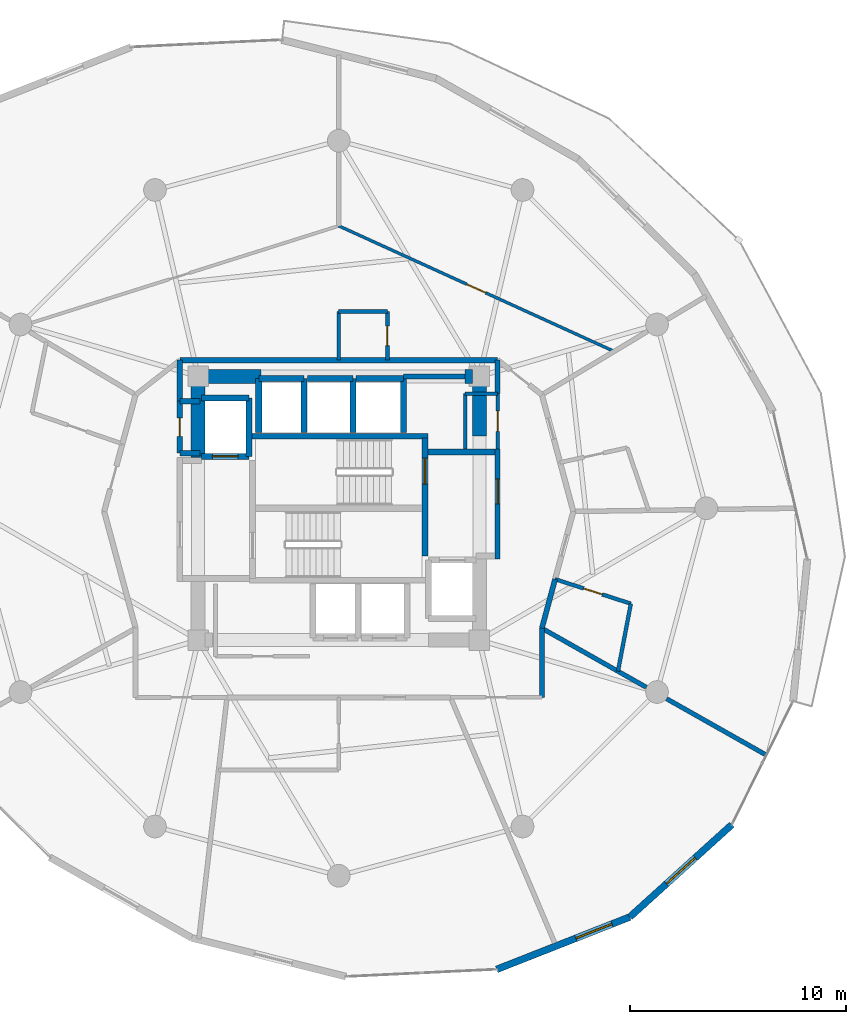
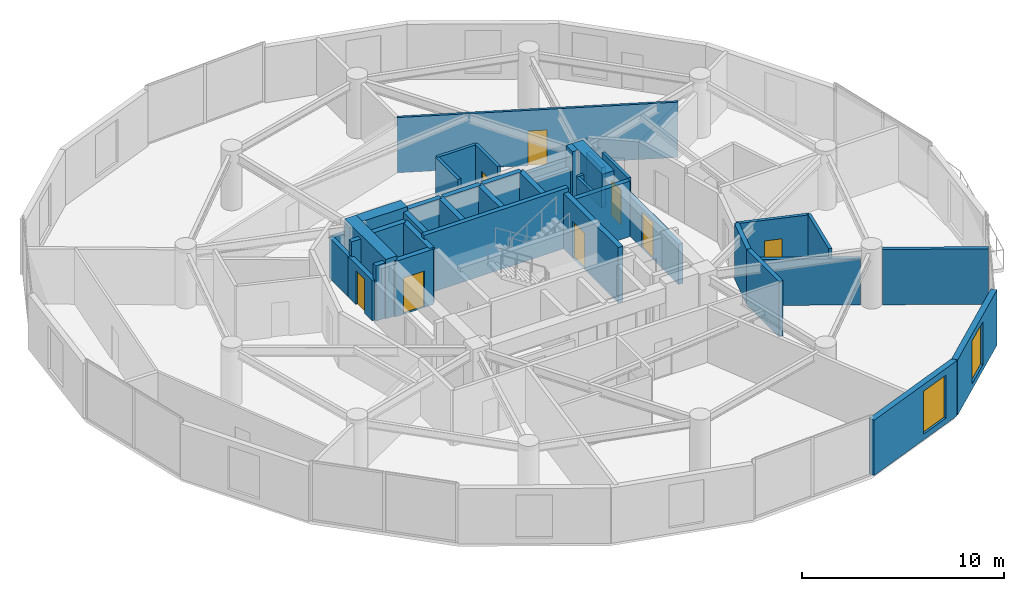
# One storey, part 21 of 25: 40 walls, 8 doors, 2 windows, 10 openings.
"""IFC4 building model written with IfcOpenShell, lengths in metres."""

import ifcopenshell
import ifcopenshell.guid

model = None  # the IFC model being written
_history = None  # IfcOwnerHistory: only IFC2X3 demands one
_inside = {}  # id of a spatial element -> (the spatial element, [elements in it])
_under = {}  # id of a project, library or spatial element -> (it, [spatial elements below it])
_declared = {}  # id of a project -> (the project, [libraries it declares])
_typed = {}  # id of a type object -> (the type object, [elements of that type])
_made_of = {}  # id of a material, layer set ... -> (it, [elements and type objects made of it])


def new_model(schema):
    """Start an empty IFC model of exactly this schema.

    Asked for "IFC4X3", IfcOpenShell would pick the latest addendum, in which some entities
    have other attributes; the version numbers below select the first issue.
    IFC2X3 requires an IfcOwnerHistory on every rooted entity: one is made here for all.
    """
    global model, _history
    if schema == "IFC4X3":
        model = ifcopenshell.file(schema_version=(4, 3, 0, 0))
    else:
        model = ifcopenshell.file(schema=schema)
    _inside.clear()
    _under.clear()
    _declared.clear()
    _typed.clear()
    _made_of.clear()
    _history = None
    if model.schema == "IFC2X3":
        org = make("IfcOrganization", Name="unknown")
        user = make(
            "IfcPersonAndOrganization",
            ThePerson=make("IfcPerson", FamilyName="unknown"),
            TheOrganization=org,
        )
        app = make(
            "IfcApplication",
            ApplicationDeveloper=org,
            Version="unknown",
            ApplicationFullName="unknown",
            ApplicationIdentifier="unknown",
        )
        _history = make(
            "IfcOwnerHistory",
            OwningUser=user,
            OwningApplication=app,
            ChangeAction="ADDED",
            CreationDate=0,
        )
    return model


def make(cls, **values):
    """One entity of the class cls with the attributes given. An attribute that is None is left unset."""
    return model.create_entity(
        cls, **{name: value for name, value in values.items() if value is not None}
    )


def rooted(cls, **values):
    """An entity with a GlobalId (a new one), such as an element, a storey or a relation."""
    return make(cls, GlobalId=ifcopenshell.guid.new(), OwnerHistory=_history, **values)


def si_unit(unit_type, name, prefix=None):
    """IfcSIUnit, for example si_unit("LENGTHUNIT", "METRE", prefix="MILLI")."""
    return make("IfcSIUnit", UnitType=unit_type, Prefix=prefix, Name=name)


def assignment(units):
    """IfcUnitAssignment: the units of a project."""
    return None if units is None else make("IfcUnitAssignment", Units=units)


def point(xyz):
    """IfcCartesianPoint."""
    return None if xyz is None else make("IfcCartesianPoint", Coordinates=xyz)


def direction(xyz):
    """IfcDirection."""
    return None if xyz is None else make("IfcDirection", DirectionRatios=xyz)


def frame(location, z_axis=None, x_axis=None):
    """IfcAxis2Placement3D, a coordinate frame: its origin and axes. An axis left out is left unset."""
    return make(
        "IfcAxis2Placement3D",
        Location=point(location),
        Axis=direction(z_axis),
        RefDirection=direction(x_axis),
    )


def frame_2d(location, x_axis=None):
    """IfcAxis2Placement2D, a coordinate frame in the plane: its origin and x axis."""
    return make(
        "IfcAxis2Placement2D", Location=point(location), RefDirection=direction(x_axis)
    )


def origin():
    """The frame at (0, 0, 0) with its axes left unset."""
    return frame((0.0, 0.0, 0.0))


def place(relative_to, where):
    """IfcLocalPlacement: puts the frame where relative to a parent placement (None: the world)."""
    return make(
        "IfcLocalPlacement", PlacementRelTo=relative_to, RelativePlacement=where
    )


def context(
    kind, dimensions, precision=None, world=None, true_north=None, identifier=None
):
    """IfcGeometricRepresentationContext, for example the 3D "Model" context."""
    return make(
        "IfcGeometricRepresentationContext",
        ContextIdentifier=identifier,
        ContextType=kind,
        CoordinateSpaceDimension=dimensions,
        Precision=precision,
        WorldCoordinateSystem=world,
        TrueNorth=true_north,
    )


def subcontext(parent, identifier, kind, view, scale=None):
    """IfcGeometricRepresentationSubContext, for example "Body" below "Model"."""
    return make(
        "IfcGeometricRepresentationSubContext",
        ContextIdentifier=identifier,
        ContextType=kind,
        ParentContext=parent,
        TargetScale=scale,
        TargetView=view,
    )


def project(units=None, contexts=None):
    """IfcProject with its units and contexts."""
    return rooted(
        "IfcProject",
        Name="project",
        RepresentationContexts=contexts,
        UnitsInContext=assignment(units),
    )


def spatial(cls, under=None, at=None, **own):
    """A site, building, storey or space (cls), placed at a placement, below another one or the project."""
    s = rooted(cls, ObjectPlacement=at, **own)
    if under is not None:
        _under.setdefault(under.id(), (under, []))[1].append(s)
    return s


def profile(cls, at=None, kind="AREA", **sizes):
    """A parametric profile (cls). Its sizes go by their IFC names, for example OverallWidth=200.0."""
    return make(cls, ProfileType=kind, Position=at, **sizes)


def rectangle(**sizes):
    """IfcRectangleProfileDef."""
    return profile("IfcRectangleProfileDef", **sizes)


def extrude(swept, where, along, depth):
    """IfcExtrudedAreaSolid: the profile swept, set in the frame where, extruded along a direction by depth."""
    return make(
        "IfcExtrudedAreaSolid",
        SweptArea=swept,
        Position=where,
        ExtrudedDirection=direction(along),
        Depth=depth,
    )


def shape(context_of_items, identifier, shape_type, items):
    """IfcShapeRepresentation: the items that make up one representation, for example the "Body"."""
    return make(
        "IfcShapeRepresentation",
        ContextOfItems=context_of_items,
        RepresentationIdentifier=identifier,
        RepresentationType=shape_type,
        Items=items,
    )


def material(Name=None, Category=None):
    """IfcMaterial."""
    return make("IfcMaterial", Name=Name, Category=Category)


def layer(
    of_material, thickness, ventilated=None, Name=None, Category=None, Priority=None
):
    """IfcMaterialLayer: one layer of a wall or slab, of a material (None: an air gap)."""
    return make(
        "IfcMaterialLayer",
        Material=of_material,
        LayerThickness=thickness,
        IsVentilated=ventilated,
        Name=Name,
        Category=Category,
        Priority=Priority,
    )


def layer_set(layers, Name=None):
    """IfcMaterialLayerSet."""
    return make("IfcMaterialLayerSet", MaterialLayers=layers, LayerSetName=Name)


def made_of(thing, what):
    """Note that an element or type object is made of a material, layer set ...; save() writes the relation."""
    if what is not None:
        _made_of.setdefault(what.id(), (what, []))[1].append(thing)
    return thing


def type_object(cls, material=None, **own):
    """A type object (cls), such as IfcWallType, which elements share."""
    return made_of(rooted(cls, **own), material)


def element(
    cls,
    number,
    at=None,
    inside=None,
    cuts=None,
    type_object=None,
    material=None,
    context=None,
    identifier="Body",
    shape_type=None,
    held_by="IfcProductDefinitionShape",
    body=None,
    shapes=None,
    **own,
):
    """One element of the class cls, such as IfcWall. Its Tag is "e" and its number.

    at: its placement. inside: the storey or other place that contains it. cuts: it is an
    opening in that element (IfcRelVoidsElement). A single representation is given by context,
    identifier, shape_type and body (its items); several are given by shapes. held_by: the class
    of the entity that holds the representations. save() writes the other relations.
    """
    e = rooted(cls, Tag="e%d" % number, ObjectPlacement=at, **own)
    if body is not None:
        shapes = [shape(context, identifier, shape_type, body)]
    if shapes is not None:
        e.Representation = make(held_by, Representations=shapes)
    if inside is not None:
        _inside.setdefault(inside.id(), (inside, []))[1].append(e)
    if cuts is not None:
        rooted(
            "IfcRelVoidsElement", RelatingBuildingElement=cuts, RelatedOpeningElement=e
        )
    if type_object is not None:
        _typed.setdefault(type_object.id(), (type_object, []))[1].append(e)
    return made_of(e, material)


def fill(opening, filler):
    """IfcRelFillsElement: the door or window that sits in an opening."""
    return rooted(
        "IfcRelFillsElement",
        RelatingOpeningElement=opening,
        RelatedBuildingElement=filler,
    )


def aggregate(whole, parts):
    """IfcRelAggregates: a whole, such as a stair, and the parts it consists of."""
    return rooted("IfcRelAggregates", RelatingObject=whole, RelatedObjects=parts)


def save(model, path):
    """Write the relations noted so far, then the file.

    IfcRelAggregates (storeys below a building ...), IfcRelContainedInSpatialStructure (elements
    in a storey), IfcRelDefinesByType, IfcRelAssociatesMaterial and IfcRelDeclares: one each for
    every whole, place, type object, material and project.
    """
    for whole, parts in _under.values():
        aggregate(whole, parts)
    for where, things in _inside.values():
        rooted(
            "IfcRelContainedInSpatialStructure",
            RelatedElements=things,
            RelatingStructure=where,
        )
    for kind, things in _typed.values():
        rooted("IfcRelDefinesByType", RelatedObjects=things, RelatingType=kind)
    for what, things in _made_of.values():
        rooted("IfcRelAssociatesMaterial", RelatedObjects=things, RelatingMaterial=what)
    for by, libraries in _declared.values():
        rooted("IfcRelDeclares", RelatingContext=by, RelatedDefinitions=libraries)
    model.write(path)


model = new_model("IFC4")

# Units and contexts
model_context = context("Model", 3, precision=1e-05, world=origin(), true_north=direction((0.0, 1.0)))
body_context = subcontext(model_context, "Body", "Model", "MODEL_VIEW")
ifc_project = project(units=[si_unit("LENGTHUNIT", "METRE"), si_unit("AREAUNIT", "SQUARE_METRE"), si_unit("VOLUMEUNIT", "CUBIC_METRE"), si_unit("PLANEANGLEUNIT", "RADIAN"), si_unit("MASSUNIT", "GRAM", prefix="KILO")], contexts=[model_context])

# Site, building, storey
site_placement = place(None, origin())
site = spatial("IfcSite", under=ifc_project, at=site_placement, CompositionType="ELEMENT")
building_placement = place(site_placement, origin())
building = spatial("IfcBuilding", under=site, at=building_placement, Name="Solvirekh Grand Hotel", CompositionType="ELEMENT")
storey_placement = place(building_placement, frame((0.0, 0.0, 124.199951171875)))
storey = spatial("IfcBuildingStorey", under=building, at=storey_placement, Name="L31", CompositionType="ELEMENT", Elevation=124.199951171875)

# Walls
ifc_material_1 = material(Name="Concrete C50/60", Category="concrete")
ifc_layer_1 = layer(ifc_material_1, 0.35009765625)
ifc_layer_set_1 = layer_set([ifc_layer_1], Name="Concrete C50/60")
wall_type_1 = type_object("IfcWallType", Name="CoreDivWall_RC350", PredefinedType="SOLIDWALL", material=ifc_layer_set_1)
wall_1_placement = place(storey_placement, frame((-4.1298828125, 3.324951171875, 0.0), z_axis=(0.0, 0.0, 1.0), x_axis=(1.0, 0.0, 0.0)))
element("IfcWall", 1, at=wall_1_placement, inside=storey, type_object=wall_type_1, Name="L31 core stair box wall ST-N", PredefinedType="SOLIDWALL", context=body_context, shape_type="SweptSolid", body=[
    extrude(rectangle(XDim=8.259765625, YDim=0.25, at=frame_2d((4.1298828125, 0.0))), origin(), (0.0, 0.0, 1.0), 3.60009765625),
])
ifc_material_2 = material(Name="Concrete C40/50", Category="concrete")
ifc_layer_2 = layer(ifc_material_2, 0.280029296875)
ifc_layer_set_2 = layer_set([ifc_layer_2], Name="Concrete C40/50")
wall_type_2 = type_object("IfcWallType", Name="CoreShaftWall_RC280", PredefinedType="SOLIDWALL", material=ifc_layer_set_2)
wall_2_placement = place(storey_placement, frame((-1.60009765625, 6.0, 0.0), z_axis=(0.0, 0.0, 1.0), x_axis=(-1.0, 0.0, 0.0)))
element("IfcWall", 2, at=wall_2_placement, inside=storey, type_object=wall_type_2, Name="L31 HP-1 hoistway N wall", PredefinedType="SOLIDWALL", context=body_context, shape_type="SweptSolid", body=[
    extrude(rectangle(XDim=2.099853515625, YDim=0.280029296875, at=frame_2d((1.0498046875, 0.0))), origin(), (0.0, 0.0, 1.0), 3.35009765625),
])
for number, where, z_axis, x_axis, name in (
    (3, (-3.699951171875, 6.0, 0.0), (0.0, 0.0, 1.0), (0.0, -1.0, 0.0), "L31 HP-1 hoistway W wall"),
    (4, (-1.60009765625, 3.5, 0.0), (0.0, 0.0, 1.0), (0.0, 1.0, 0.0), "L31 HP-1 hoistway E wall"),
):
    element("IfcWall", number, at=place(storey_placement, frame(where, z_axis=z_axis, x_axis=x_axis)), inside=storey, type_object=wall_type_2, Name=name, PredefinedType="SOLIDWALL", context=body_context, shape_type="SweptSolid", body=[
        extrude(rectangle(XDim=2.5, YDim=0.280029296875, at=frame_2d((1.25, 0.0))), origin(), (0.0, 0.0, 1.0), 3.35009765625),
    ])
wall_3_placement = place(storey_placement, frame((0.64990234375, 6.0, 0.0), z_axis=(0.0, 0.0, 1.0), x_axis=(-1.0, 0.0, 0.0)))
element("IfcWall", 5, at=wall_3_placement, inside=storey, type_object=wall_type_2, Name="L31 HP-2 hoistway N wall", PredefinedType="SOLIDWALL", context=body_context, shape_type="SweptSolid", body=[
    extrude(rectangle(XDim=2.099853515625, YDim=0.280029296875, at=frame_2d((1.0498046875, 0.0))), origin(), (0.0, 0.0, 1.0), 3.35009765625),
])
wall_4_placement = place(storey_placement, frame((0.64990234375, 3.5, 0.0), z_axis=(0.0, 0.0, 1.0), x_axis=(0.0, 1.0, 0.0)))
element("IfcWall", 6, at=wall_4_placement, inside=storey, type_object=wall_type_2, Name="L31 HP-2 hoistway E wall", PredefinedType="SOLIDWALL", context=body_context, shape_type="SweptSolid", body=[
    extrude(rectangle(XDim=2.5, YDim=0.280029296875, at=frame_2d((1.25, 0.0))), origin(), (0.0, 0.0, 1.0), 3.35009765625),
])
wall_5_placement = place(storey_placement, frame((3.0, 6.0, 0.0), z_axis=(0.0, 0.0, 1.0), x_axis=(-1.0, 0.0, 0.0)))
element("IfcWall", 7, at=wall_5_placement, inside=storey, type_object=wall_type_2, Name="L31 EX-1 hoistway N wall", PredefinedType="SOLIDWALL", context=body_context, shape_type="SweptSolid", body=[
    extrude(rectangle(XDim=2.199951171875, YDim=0.280029296875, at=frame_2d((1.10009765625, 0.0))), origin(), (0.0, 0.0, 1.0), 3.35009765625),
])
wall_6_placement = place(storey_placement, frame((3.0, 3.5, 0.0), z_axis=(0.0, 0.0, 1.0), x_axis=(0.0, 1.0, 0.0)))
element("IfcWall", 8, at=wall_6_placement, inside=storey, type_object=wall_type_2, Name="L31 EX-1 hoistway E wall", PredefinedType="SOLIDWALL", context=body_context, shape_type="SweptSolid", body=[
    extrude(rectangle(XDim=2.5, YDim=0.280029296875, at=frame_2d((1.25, 0.0))), origin(), (0.0, 0.0, 1.0), 3.35009765625),
])

# Wall, opening, door
wall_7_placement = place(storey_placement, frame((-6.35009765625, 2.39990234375, 0.0), z_axis=(0.0, 0.0, 1.0), x_axis=(1.0, 0.0, 0.0)))
wall_7 = element("IfcWall", 9, at=wall_7_placement, inside=storey, type_object=wall_type_2, Name="L31 FL-1 hoistway S wall", PredefinedType="SOLIDWALL", context=body_context, shape_type="SweptSolid", body=[
    extrude(rectangle(XDim=2.2001953125, YDim=0.280029296875, at=frame_2d((1.10009765625, 0.0))), origin(), (0.0, 0.0, 1.0), 3.35009765625),
])
opening_1_placement = place(wall_7_placement, frame((0.5, 0.0, 0.0)))
opening_1 = element("IfcOpeningElement", 10, at=opening_1_placement, cuts=wall_7, Name="Opening LD02", PredefinedType="OPENING", context=body_context, shape_type="SweptSolid", body=[
    extrude(rectangle(XDim=1.199951171875, YDim=2.199951171875, at=frame_2d((0.60009765625, 1.10009765625))), frame((0.0, 0.14990234375, 0.0), z_axis=(0.0, -1.0, 0.0), x_axis=(1.0, 0.0, 0.0)), (0.0, 0.0, 1.0), 0.300048828125),
])
ifc_material_3 = material(Name="Fire-Rated Steel Door Assembly", Category="steel")
door_type_1 = type_object("IfcDoorType", Name="Door_LiftFF_1200X2200", OperationType="SLIDING_TO_LEFT", PredefinedType="DOOR", material=ifc_material_3)
door_1_placement = place(opening_1_placement, origin())
door_1 = element("IfcDoor", 11, at=door_1_placement, inside=storey, type_object=door_type_1, Name="L31 FL-1 sliding lift landing door", OperationType="SLIDING_TO_LEFT", OverallHeight=2.199951171875, OverallWidth=1.199951171875, PredefinedType="DOOR", context=body_context, shape_type="SweptSolid", body=[
    extrude(rectangle(XDim=1.199951171875, YDim=2.199951171875, at=frame_2d((0.60009765625, 1.10009765625))), frame((0.0, 0.02490234375, 0.0), z_axis=(0.0, -1.0, 0.0), x_axis=(1.0, 0.0, 0.0)), (0.0, 0.0, 1.0), 0.050048828125),
])
fill(opening_1, door_1)

# Walls
wall_8_placement = place(storey_placement, frame((-4.14990234375, 5.10009765625, 0.0), z_axis=(0.0, 0.0, 1.0), x_axis=(-1.0, 0.0, 0.0)))
element("IfcWall", 12, at=wall_8_placement, inside=storey, type_object=wall_type_2, Name="L31 FL-1 hoistway N wall", PredefinedType="SOLIDWALL", context=body_context, shape_type="SweptSolid", body=[
    extrude(rectangle(XDim=2.2001953125, YDim=0.280029296875, at=frame_2d((1.10009765625, 0.0))), origin(), (0.0, 0.0, 1.0), 3.35009765625),
])
wall_9_placement = place(storey_placement, frame((-4.14990234375, 2.39990234375, 0.0), z_axis=(0.0, 0.0, 1.0), x_axis=(0.0, 1.0, 0.0)))
element("IfcWall", 13, at=wall_9_placement, inside=storey, type_object=wall_type_2, Name="L31 FL-1 hoistway E wall", PredefinedType="SOLIDWALL", context=body_context, shape_type="SweptSolid", body=[
    extrude(rectangle(XDim=2.7001953125, YDim=0.280029296875, at=frame_2d((1.35009765625, 0.0))), origin(), (0.0, 0.0, 1.0), 3.35009765625),
])

# Wall, opening, door
wall_10_placement = place(storey_placement, frame((3.989990234375, -2.2099609375, 0.0), z_axis=(0.0, 0.0, 1.0), x_axis=(0.0, 1.0, 0.0)))
wall_10 = element("IfcWall", 14, at=wall_10_placement, inside=storey, type_object=wall_type_2, Name="L31 east stair landing enclosure wall", PredefinedType="SOLIDWALL", context=body_context, shape_type="SweptSolid", body=[
    extrude(rectangle(XDim=5.4599609375, YDim=0.280029296875, at=frame_2d((2.72998046875, 0.0))), origin(), (0.0, 0.0, 1.0), 3.35009765625),
])
opening_2_placement = place(wall_10_placement, frame((3.322998046875, 0.0, 0.0)))
opening_2 = element("IfcOpeningElement", 15, at=opening_2_placement, cuts=wall_10, Name="Opening D05", PredefinedType="OPENING", context=body_context, shape_type="SweptSolid", body=[
    extrude(rectangle(XDim=1.199951171875, YDim=2.199951171875, at=frame_2d((0.60009765625, 1.10009765625))), frame((0.0, 0.14990234375, 0.0), z_axis=(0.0, -1.0, 0.0), x_axis=(1.0, 0.0, 0.0)), (0.0, 0.0, 1.0), 0.300048828125),
])
door_type_2 = type_object("IfcDoorType", Name="Door_StairCore_1200X2200", OperationType="NOTDEFINED", PredefinedType="DOOR", material=ifc_material_3)
door_2_placement = place(opening_2_placement, origin())
door_2 = element("IfcDoor", 16, at=door_2_placement, inside=storey, type_object=door_type_2, Name="L31 exit stair ST-2 fire door", OperationType="SINGLE_SWING_RIGHT", OverallHeight=2.199951171875, OverallWidth=1.199951171875, PredefinedType="DOOR", context=body_context, shape_type="SweptSolid", body=[
    extrude(rectangle(XDim=1.199951171875, YDim=2.199951171875, at=frame_2d((0.60009765625, 1.10009765625))), frame((0.0, 0.02490234375, 0.0), z_axis=(0.0, -1.0, 0.0), x_axis=(1.0, 0.0, 0.0)), (0.0, 0.0, 1.0), 0.050048828125),
])
fill(opening_2, door_2)

# Walls
ifc_layer_3 = layer(ifc_material_1, 0.64990234375)
ifc_layer_set_3 = layer_set([ifc_layer_3], Name="Concrete C50/60")
wall_type_3 = type_object("IfcWallType", Name="CoreWall_RC650", PredefinedType="SHEAR", material=ifc_layer_set_3)
wall_11_placement = place(storey_placement, frame((-6.175048828125, 6.10009765625, 0.0), z_axis=(0.0, 0.0, 1.0), x_axis=(1.0, 0.0, 0.0)))
element("IfcWall", 17, at=wall_11_placement, inside=storey, type_object=wall_type_3, Name="L31 core corner shear wall NW-N", PredefinedType="SHEAR", context=body_context, shape_type="SweptSolid", body=[
    extrude(rectangle(XDim=2.574951171875, YDim=0.64990234375, at=frame_2d((1.28759765625, 0.0))), origin(), (0.0, 0.0, 1.0), 3.60009765625),
])
wall_12_placement = place(storey_placement, frame((5.85009765625, 6.10009765625, 0.0), z_axis=(0.0, 0.0, 1.0), x_axis=(1.0, 0.0, 0.0)))
element("IfcWall", 18, at=wall_12_placement, inside=storey, type_object=wall_type_3, Name="L31 core corner shear wall NE-N", PredefinedType="SHEAR", context=body_context, shape_type="SweptSolid", body=[
    extrude(rectangle(XDim=0.324951171875, YDim=0.64990234375, at=frame_2d((0.16259765625, 0.0))), origin(), (0.0, 0.0, 1.0), 3.60009765625),
])
wall_13_placement = place(storey_placement, frame((-6.5, 2.35009765625, 0.0), z_axis=(0.0, 0.0, 1.0), x_axis=(0.0, 1.0, 0.0)))
element("IfcWall", 19, at=wall_13_placement, inside=storey, type_object=wall_type_3, Name="L31 core corner shear wall WN-W", PredefinedType="SHEAR", context=body_context, shape_type="SweptSolid", body=[
    extrude(rectangle(XDim=4.074951171875, YDim=0.64990234375, at=frame_2d((2.03759765625, 0.0))), origin(), (0.0, 0.0, 1.0), 3.60009765625),
])
wall_14_placement = place(storey_placement, frame((6.5, 3.35009765625, 0.0), z_axis=(0.0, 0.0, 1.0), x_axis=(0.0, 1.0, 0.0)))
element("IfcWall", 20, at=wall_14_placement, inside=storey, type_object=wall_type_3, Name="L31 core corner shear wall EN-E", PredefinedType="SHEAR", context=body_context, shape_type="SweptSolid", body=[
    extrude(rectangle(XDim=3.074951171875, YDim=0.64990234375, at=frame_2d((1.53759765625, 0.0))), origin(), (0.0, 0.0, 1.0), 3.60009765625),
])

# Wall, opening, window
ifc_material_4 = material(Name="Precast concrete C45/55", Category="concrete")
ifc_layer_4 = layer(ifc_material_4, 0.320068359375)
ifc_layer_set_4 = layer_set([ifc_layer_4], Name="Precast concrete C45/55")
wall_type_4 = type_object("IfcWallType", Name="ExtLobbyWall_RC320", PredefinedType="SOLIDWALL", material=ifc_layer_set_4)
wall_15_placement = place(storey_placement, frame((13.464111328125, -18.907958984375, 0.0), z_axis=(0.0, 0.0, 1.0), x_axis=(-0.930522028172, -0.366235928175, 0.0)))
wall_15 = element("IfcWall", 21, at=wall_15_placement, inside=storey, type_object=wall_type_4, Name="L31 exterior structural wall chord 19", PredefinedType="SOLIDWALL", context=body_context, shape_type="SweptSolid", body=[
    extrude(rectangle(XDim=6.613525390625, YDim=0.320068359375, at=frame_2d((3.306640625, 0.0))), origin(), (0.0, 0.0, 1.0), 3.35009765625),
])
opening_3_placement = place(wall_15_placement, frame((0.885009765625, 0.0, 0.35009765625)))
opening_3 = element("IfcOpeningElement", 22, at=opening_3_placement, cuts=wall_15, Name="Opening W02", PredefinedType="OPENING", context=body_context, shape_type="SweptSolid", body=[
    extrude(rectangle(XDim=1.800048828125, YDim=2.60009765625, at=frame_2d((0.89990234375, 1.300048828125))), frame((0.0, 0.169921875, 0.0), z_axis=(0.0, -1.0, 0.0), x_axis=(1.0, 0.0, 0.0)), (0.0, 0.0, 1.0), 0.340087890625),
])
ifc_material_5 = material(Name="Low-E Tinted Bronze Laminated Glass", Category="aluminium")
window_type = type_object("IfcWindowType", Name="Win_LobbyExt_1800X2600", PartitioningType="SINGLE_PANEL", PredefinedType="WINDOW", material=ifc_material_5)
window_1_placement = place(opening_3_placement, origin())
window_1 = element("IfcWindow", 23, at=window_1_placement, inside=storey, type_object=window_type, Name="L31 panoramic bronze-framed window 19", OverallHeight=2.60009765625, OverallWidth=1.800048828125, PartitioningType="SINGLE_PANEL", PredefinedType="WINDOW", context=body_context, shape_type="SweptSolid", body=[
    extrude(rectangle(XDim=1.800048828125, YDim=2.60009765625, at=frame_2d((0.89990234375, 1.300048828125))), frame((0.0, 0.030029296875, 0.0), z_axis=(0.0, -1.0, 0.0), x_axis=(1.0, 0.0, 0.0)), (0.0, 0.0, 1.0), 0.06005859375),
])
fill(opening_3, window_1)

wall_16_placement = place(storey_placement, frame((18.18603515625, -14.635009765625, 0.0), z_axis=(0.0, 0.0, 1.0), x_axis=(-0.741478557534, -0.670976563464, 0.0)))
wall_16 = element("IfcWall", 24, at=wall_16_placement, inside=storey, type_object=wall_type_4, Name="L31 exterior structural wall chord 20", PredefinedType="SOLIDWALL", context=body_context, shape_type="SweptSolid", body=[
    extrude(rectangle(XDim=6.3681640625, YDim=0.320068359375, at=frame_2d((3.18408203125, 0.0))), origin(), (0.0, 0.0, 1.0), 3.35009765625),
])
opening_4_placement = place(wall_16_placement, frame((2.283935546875, 0.0, 0.35009765625)))
opening_4 = element("IfcOpeningElement", 25, at=opening_4_placement, cuts=wall_16, Name="Opening W02", PredefinedType="OPENING", context=body_context, shape_type="SweptSolid", body=[
    extrude(rectangle(XDim=1.800048828125, YDim=2.60009765625, at=frame_2d((0.89990234375, 1.300048828125))), frame((0.0, 0.169921875, 0.0), z_axis=(0.0, -1.0, 0.0), x_axis=(1.0, 0.0, 0.0)), (0.0, 0.0, 1.0), 0.340087890625),
])
window_2_placement = place(opening_4_placement, origin())
window_2 = element("IfcWindow", 26, at=window_2_placement, inside=storey, type_object=window_type, Name="L31 panoramic bronze-framed window 20", OverallHeight=2.60009765625, OverallWidth=1.800048828125, PartitioningType="SINGLE_PANEL", PredefinedType="WINDOW", context=body_context, shape_type="SweptSolid", body=[
    extrude(rectangle(XDim=1.800048828125, YDim=2.60009765625, at=frame_2d((0.89990234375, 1.300048828125))), frame((0.0, 0.030029296875, 0.0), z_axis=(0.0, -1.0, 0.0), x_axis=(1.0, 0.0, 0.0)), (0.0, 0.0, 1.0), 0.06005859375),
])
fill(opening_4, window_2)

# Wall, opening, door
ifc_material_6 = material(Name="Acoustic Gypsum Partition Assembly")
ifc_layer_5 = layer(ifc_material_6, 0.1650390625)
ifc_layer_set_5 = layer_set([ifc_layer_5], Name="Acoustic Gypsum Partition Assembly")
wall_type_5 = type_object("IfcWallType", Name="Part_BOH_165", PredefinedType="PARTITIONING", material=ifc_layer_set_5)
wall_17_placement = place(storey_placement, frame((7.35009765625, 2.75, 0.0), z_axis=(0.0, 0.0, 1.0), x_axis=(0.0, 1.0, 0.0)))
wall_17 = element("IfcWall", 27, at=wall_17_placement, inside=storey, type_object=wall_type_5, Name="L31 L31 Core Housekeeping & Linen Room wall 2", PredefinedType="PARTITIONING", context=body_context, shape_type="SweptSolid", body=[
    extrude(rectangle(XDim=2.550048828125, YDim=0.1650390625, at=frame_2d((1.27490234375, 0.0))), origin(), (0.0, 0.0, 1.0), 3.35009765625),
])
opening_5_placement = place(wall_17_placement, frame((0.800048828125, 0.0, 0.0)))
opening_5 = element("IfcOpeningElement", 28, at=opening_5_placement, cuts=wall_17, Name="Opening D10", PredefinedType="OPENING", context=body_context, shape_type="SweptSolid", body=[
    extrude(rectangle(XDim=0.949951171875, YDim=2.10009765625, at=frame_2d((0.47509765625, 1.050048828125))), frame((0.0, 0.092529296875, 0.0), z_axis=(0.0, -1.0, 0.0), x_axis=(1.0, 0.0, 0.0)), (0.0, 0.0, 1.0), 0.18505859375),
])
ifc_material_7 = material(Name="Anodized Bronze Aluminium 6063-T6", Category="aluminium")
door_type_3 = type_object("IfcDoorType", Name="Door_RoomInt_950X2100", OperationType="NOTDEFINED", PredefinedType="DOOR", material=ifc_material_7)
door_3_placement = place(opening_5_placement, origin())
door_3 = element("IfcDoor", 29, at=door_3_placement, inside=storey, type_object=door_type_3, Name="L31 L31 Core Housekeeping & Linen Room door", OperationType="SINGLE_SWING_RIGHT", OverallHeight=2.10009765625, OverallWidth=0.949951171875, PredefinedType="DOOR", context=body_context, shape_type="SweptSolid", body=[
    extrude(rectangle(XDim=0.949951171875, YDim=2.10009765625, at=frame_2d((0.47509765625, 1.050048828125))), frame((0.0, 0.02490234375, 0.0), z_axis=(0.0, -1.0, 0.0), x_axis=(1.0, 0.0, 0.0)), (0.0, 0.0, 1.0), 0.050048828125),
])
fill(opening_5, door_3)

# Walls
wall_18_placement = place(storey_placement, frame((7.35009765625, 5.300048828125, 0.0), z_axis=(0.0, 0.0, 1.0), x_axis=(-1.0, 0.0, 0.0)))
element("IfcWall", 30, at=wall_18_placement, inside=storey, type_object=wall_type_5, Name="L31 L31 Core Housekeeping & Linen Room wall 3", PredefinedType="PARTITIONING", context=body_context, shape_type="SweptSolid", body=[
    extrude(rectangle(XDim=1.5, YDim=0.1650390625, at=frame_2d((0.75, 0.0))), origin(), (0.0, 0.0, 1.0), 2.43505859375),
])
wall_19_placement = place(storey_placement, frame((5.85009765625, 5.300048828125, 0.0), z_axis=(0.0, 0.0, 1.0), x_axis=(0.0, -1.0, 0.0)))
element("IfcWall", 31, at=wall_19_placement, inside=storey, type_object=wall_type_5, Name="L31 L31 Core Housekeeping & Linen Room wall 4", PredefinedType="PARTITIONING", context=body_context, shape_type="SweptSolid", body=[
    extrude(rectangle(XDim=2.550048828125, YDim=0.1650390625, at=frame_2d((1.27490234375, 0.0))), origin(), (0.0, 0.0, 1.0), 2.43505859375),
])

# Wall, opening, door
ifc_layer_6 = layer(ifc_material_6, 0.239990234375)
ifc_layer_set_6 = layer_set([ifc_layer_6], Name="Acoustic Gypsum Partition Assembly")
wall_type_6 = type_object("IfcWallType", Name="Part_Corridor_240", PredefinedType="PARTITIONING", material=ifc_layer_set_6)
wall_20_placement = place(storey_placement, frame((7.35009765625, -2.340087890625, 0.0), z_axis=(0.0, 0.0, 1.0), x_axis=(0.0, 1.0, 0.0)))
wall_20 = element("IfcWall", 32, at=wall_20_placement, inside=storey, type_object=wall_type_6, Name="L31 east firefighting lobby smoke screen wall", PredefinedType="PARTITIONING", context=body_context, shape_type="SweptSolid", body=[
    extrude(rectangle(XDim=5.070068359375, YDim=0.239990234375, at=frame_2d((2.53515625, 0.0))), origin(), (0.0, 0.0, 1.0), 2.43505859375),
])
opening_6_placement = place(wall_20_placement, frame((2.548095703125, 0.0, 0.0)))
opening_6 = element("IfcOpeningElement", 33, at=opening_6_placement, cuts=wall_20, Name="Opening D06", PredefinedType="OPENING", context=body_context, shape_type="SweptSolid", body=[
    extrude(rectangle(XDim=1.14990234375, YDim=2.199951171875, at=frame_2d((0.574951171875, 1.10009765625))), frame((0.0, 0.1298828125, 0.0), z_axis=(0.0, -1.0, 0.0), x_axis=(1.0, 0.0, 0.0)), (0.0, 0.0, 1.0), 0.260009765625),
])
door_type_4 = type_object("IfcDoorType", Name="Door_FFLobby_1150X2200", OperationType="NOTDEFINED", PredefinedType="DOOR", material=ifc_material_3)
door_4_placement = place(opening_6_placement, origin())
door_4 = element("IfcDoor", 34, at=door_4_placement, inside=storey, type_object=door_type_4, Name="L31 east firefighting lobby smoke door", OperationType="SINGLE_SWING_RIGHT", OverallHeight=2.199951171875, OverallWidth=1.14990234375, PredefinedType="DOOR", context=body_context, shape_type="SweptSolid", body=[
    extrude(rectangle(XDim=1.14990234375, YDim=2.199951171875, at=frame_2d((0.574951171875, 1.10009765625))), frame((0.0, 0.02490234375, 0.0), z_axis=(0.0, -1.0, 0.0), x_axis=(1.0, 0.0, 0.0)), (0.0, 0.0, 1.0), 0.050048828125),
])
fill(opening_6, door_4)

# Walls
wall_21_placement = place(storey_placement, frame((-7.35009765625, 6.85009765625, 0.0), z_axis=(0.0, 0.0, 1.0), x_axis=(1.0, 0.0, 0.0)))
element("IfcWall", 35, at=wall_21_placement, inside=storey, type_object=wall_type_6, Name="L31 north core backing partition", PredefinedType="PARTITIONING", context=body_context, shape_type="SweptSolid", body=[
    extrude(rectangle(XDim=14.7001953125, YDim=0.239990234375, at=frame_2d((7.35009765625, 0.0))), origin(), (0.0, 0.0, 1.0), 2.43505859375),
])
wall_22_placement = place(storey_placement, frame((-7.35009765625, 4.949951171875, 0.0), z_axis=(0.0, 0.0, 1.0), x_axis=(0.0, 1.0, 0.0)))
element("IfcWall", 36, at=wall_22_placement, inside=storey, type_object=wall_type_6, Name="L31 NW core cheek closure wall", PredefinedType="PARTITIONING", context=body_context, shape_type="SweptSolid", body=[
    extrude(rectangle(XDim=1.900146484375, YDim=0.239990234375, at=frame_2d((0.9501953125, 0.0))), origin(), (0.0, 0.0, 1.0), 2.43505859375),
])
wall_23_placement = place(storey_placement, frame((7.35009765625, 5.300048828125, 0.0), z_axis=(0.0, 0.0, 1.0), x_axis=(0.0, 1.0, 0.0)))
element("IfcWall", 37, at=wall_23_placement, inside=storey, type_object=wall_type_6, Name="L31 NE core cheek closure wall", PredefinedType="PARTITIONING", context=body_context, shape_type="SweptSolid", body=[
    extrude(rectangle(XDim=1.550048828125, YDim=0.239990234375, at=frame_2d((0.77490234375, 0.0))), origin(), (0.0, 0.0, 1.0), 2.43505859375),
])
wall_24_placement = place(storey_placement, frame((3.0, 6.10009765625, 0.0), z_axis=(0.0, 0.0, 1.0), x_axis=(1.0, 0.0, 0.0)))
element("IfcWall", 38, at=wall_24_placement, inside=storey, type_object=wall_type_6, Name="L31 north core shaft infill wall", PredefinedType="PARTITIONING", context=body_context, shape_type="SweptSolid", body=[
    extrude(rectangle(XDim=2.85009765625, YDim=0.239990234375, at=frame_2d((1.425048828125, 0.0))), origin(), (0.0, 0.0, 1.0), 2.43505859375),
])
wall_25_placement = place(storey_placement, frame((9.39599609375, -5.550048828125, 0.0), z_axis=(0.0, 0.0, 1.0), x_axis=(0.260152382661, 0.965567572879, 0.0)))
element("IfcWall", 39, at=wall_25_placement, inside=storey, type_object=wall_type_6, Name="L31 En-suite Bathroom 3303 corridor backing wall", PredefinedType="PARTITIONING", context=body_context, shape_type="SweptSolid", body=[
    extrude(rectangle(XDim=2.348876953125, YDim=0.239990234375, at=frame_2d((1.17431640625, 0.0))), origin(), (0.0, 0.0, 1.0), 3.35009765625),
])
wall_26_placement = place(storey_placement, frame((9.39599609375, -8.75, 0.0), z_axis=(0.0, 0.0, 1.0), x_axis=(0.0, 1.0, 0.0)))
element("IfcWall", 40, at=wall_26_placement, inside=storey, type_object=wall_type_6, Name="L31 L31 Butler Valet & Linen Steward Room corridor wall 1", PredefinedType="PARTITIONING", context=body_context, shape_type="SweptSolid", body=[
    extrude(rectangle(XDim=3.199951171875, YDim=0.239990234375, at=frame_2d((1.60009765625, 0.0))), origin(), (0.0, 0.0, 1.0), 3.35009765625),
])
ifc_layer_7 = layer(ifc_material_6, 0.260009765625)
ifc_layer_set_7 = layer_set([ifc_layer_7], Name="Acoustic Gypsum Partition Assembly")
wall_type_7 = type_object("IfcWallType", Name="Part_LobbyFF_260", PredefinedType="PARTITIONING", material=ifc_layer_set_7)
wall_27_placement = place(storey_placement, frame((4.1298828125, 2.60009765625, 0.0), z_axis=(0.0, 0.0, 1.0), x_axis=(1.0, 0.0, 0.0)))
element("IfcWall", 41, at=wall_27_placement, inside=storey, type_object=wall_type_7, Name="L31 east firefighting lobby north partition", PredefinedType="PARTITIONING", context=body_context, shape_type="SweptSolid", body=[
    extrude(rectangle(XDim=3.09521484375, YDim=0.260009765625, at=frame_2d((1.547607421875, 0.0))), origin(), (0.0, 0.0, 1.0), 3.35009765625),
])
for number, where, z_axis, x_axis, name in (
    (42, (-7.35009765625, 4.949951171875, 0.0), (0.0, 0.0, 1.0), (1.0, 0.0, 0.0), "L31 NW telecom metering cupboard north wall"),
    (43, (-7.35009765625, 2.550048828125, 0.0), (0.0, 0.0, 1.0), (1.0, 0.0, 0.0), "L31 NW telecom metering cupboard south wall"),
):
    element("IfcWall", number, at=place(storey_placement, frame(where, z_axis=z_axis, x_axis=x_axis)), inside=storey, type_object=wall_type_7, Name=name, PredefinedType="PARTITIONING", context=body_context, shape_type="SweptSolid", body=[
        extrude(rectangle(XDim=0.93017578125, YDim=0.260009765625, at=frame_2d((0.465087890625, 0.0))), origin(), (0.0, 0.0, 1.0), 3.35009765625),
    ])

# Wall, opening, door
wall_28_placement = place(storey_placement, frame((-7.35009765625, 2.550048828125, 0.0), z_axis=(0.0, 0.0, 1.0), x_axis=(0.0, 1.0, 0.0)))
wall_28 = element("IfcWall", 44, at=wall_28_placement, inside=storey, type_object=wall_type_7, Name="L31 NW telecom metering cupboard access wall", PredefinedType="PARTITIONING", context=body_context, shape_type="SweptSolid", body=[
    extrude(rectangle(XDim=2.39990234375, YDim=0.260009765625, at=frame_2d((1.199951171875, 0.0))), origin(), (0.0, 0.0, 1.0), 2.43505859375),
])
opening_7_placement = place(wall_28_placement, frame((0.77490234375, 0.0, 0.0)))
opening_7 = element("IfcOpeningElement", 45, at=opening_7_placement, cuts=wall_28, Name="Opening D13", PredefinedType="OPENING", context=body_context, shape_type="SweptSolid", body=[
    extrude(rectangle(XDim=0.85009765625, YDim=2.050048828125, at=frame_2d((0.425048828125, 1.02490234375))), frame((0.0, 0.14013671875, 0.0), z_axis=(0.0, -1.0, 0.0), x_axis=(1.0, 0.0, 0.0)), (0.0, 0.0, 1.0), 0.280029296875),
])
door_type_5 = type_object("IfcDoorType", Name="Door_RiserShaft_850X2050", OperationType="NOTDEFINED", PredefinedType="DOOR", material=ifc_material_3)
door_5_placement = place(opening_7_placement, origin())
door_5 = element("IfcDoor", 46, at=door_5_placement, inside=storey, type_object=door_type_5, Name="L31 telecom metering cupboard access door", OperationType="SINGLE_SWING_LEFT", OverallHeight=2.050048828125, OverallWidth=0.85009765625, PredefinedType="DOOR", context=body_context, shape_type="SweptSolid", body=[
    extrude(rectangle(XDim=0.85009765625, YDim=2.050048828125, at=frame_2d((0.425048828125, 1.02490234375))), frame((0.0, 0.02490234375, 0.0), z_axis=(0.0, -1.0, 0.0), x_axis=(1.0, 0.0, 0.0)), (0.0, 0.0, 1.0), 0.050048828125),
])
fill(opening_7, door_5)

ifc_layer_8 = layer(ifc_material_6, 0.135009765625)
ifc_layer_set_8 = layer_set([ifc_layer_8], Name="Acoustic Gypsum Partition Assembly")
wall_type_8 = type_object("IfcWallType", Name="Part_RoomInt_135", PredefinedType="PARTITIONING", material=ifc_layer_set_8)
wall_29_placement = place(storey_placement, frame((0.0, 13.06103515625, 0.0), z_axis=(0.0, 0.0, 1.0), x_axis=(0.909952678095, -0.414712097277, 0.0)))
wall_29 = element("IfcWall", 47, at=wall_29_placement, inside=storey, type_object=wall_type_8, Name="L31 Panorama Suite 3301 North Sitting Room bedroom screen wall", PredefinedType="PARTITIONING", context=body_context, shape_type="SweptSolid", body=[
    extrude(rectangle(XDim=13.99755859375, YDim=0.135009765625, at=frame_2d((6.998779296875, 0.0))), origin(), (0.0, 0.0, 1.0), 3.35009765625),
])
opening_8_placement = place(wall_29_placement, frame((6.52392578125, 0.0, 0.0)))
opening_8 = element("IfcOpeningElement", 48, at=opening_8_placement, cuts=wall_29, Name="Opening D10", PredefinedType="OPENING", context=body_context, shape_type="SweptSolid", body=[
    extrude(rectangle(XDim=0.949951171875, YDim=2.10009765625, at=frame_2d((0.47509765625, 1.050048828125))), frame((0.0, 0.07763671875, 0.0), z_axis=(0.0, -1.0, 0.0), x_axis=(1.0, 0.0, 0.0)), (0.0, 0.0, 1.0), 0.155029296875),
])
door_6_placement = place(opening_8_placement, origin())
door_6 = element("IfcDoor", 49, at=door_6_placement, inside=storey, type_object=door_type_3, Name="L31 Panorama Suite 3301 North Sitting Room master bedroom door", OperationType="SINGLE_SWING_RIGHT", OverallHeight=2.10009765625, OverallWidth=0.949951171875, PredefinedType="DOOR", context=body_context, shape_type="SweptSolid", body=[
    extrude(rectangle(XDim=0.949951171875, YDim=2.10009765625, at=frame_2d((0.47509765625, 1.050048828125))), frame((0.0, 0.02490234375, 0.0), z_axis=(0.0, -1.0, 0.0), x_axis=(1.0, 0.0, 0.0)), (0.0, 0.0, 1.0), 0.050048828125),
])
fill(opening_8, door_6)

# Walls
ifc_layer_9 = layer(ifc_material_6, 0.2099609375)
ifc_layer_set_9 = layer_set([ifc_layer_9], Name="Acoustic Gypsum Partition Assembly")
wall_type_9 = type_object("IfcWallType", Name="Part_SuiteDemise_210", PredefinedType="PARTITIONING", material=ifc_layer_set_9)
wall_30_placement = place(storey_placement, frame((9.39599609375, -5.550048828125, 0.0), z_axis=(0.0, 0.0, 1.0), x_axis=(0.870557919432, -0.492065959922, 0.0)))
element("IfcWall", 50, at=wall_30_placement, inside=storey, type_object=wall_type_9, Name="L31 suite radial wall 12 (A)", PredefinedType="PARTITIONING", context=body_context, shape_type="SweptSolid", body=[
    extrude(rectangle(XDim=5.5458984375, YDim=0.2099609375, at=frame_2d((2.77294921875, 0.0))), origin(), (0.0, 0.0, 1.0), 2.791015625),
])
wall_31_placement = place(storey_placement, frame((15.16796875, -8.81298828125, 0.0), z_axis=(0.0, 0.0, 1.0), x_axis=(0.870621632691, -0.491953222056, 0.0)))
element("IfcWall", 51, at=wall_31_placement, inside=storey, type_object=wall_type_9, Name="L31 suite radial wall 12 (B)", PredefinedType="PARTITIONING", context=body_context, shape_type="SweptSolid", body=[
    extrude(rectangle(XDim=5.258544921875, YDim=0.2099609375, at=frame_2d((2.62939453125, 0.0))), origin(), (0.0, 0.0, 1.0), 3.35009765625),
])
ifc_layer_10 = layer(ifc_material_6, 0.175048828125)
ifc_layer_set_10 = layer_set([ifc_layer_10], Name="Acoustic Gypsum Partition Assembly")
wall_type_10 = type_object("IfcWallType", Name="Plumb_Ensuite_175", PredefinedType="PLUMBINGWALL", material=ifc_layer_set_10)
for number, where, z_axis, x_axis, name in (
    (52, (0.0, 9.10009765625, 0.0), (0.0, 0.0, 1.0), (1.0, 0.0, 0.0), "L31 En-suite Bathroom 3301 outer plumbing wall"),
    (53, (0.0, 9.10009765625, 0.0), (0.0, 0.0, 1.0), (0.0, -1.0, 0.0), "L31 En-suite Bathroom 3301 side plumbing wall"),
):
    element("IfcWall", number, at=place(storey_placement, frame(where, z_axis=z_axis, x_axis=x_axis)), inside=storey, type_object=wall_type_10, Name=name, PredefinedType="PLUMBINGWALL", context=body_context, shape_type="SweptSolid", body=[
        extrude(rectangle(XDim=2.25, YDim=0.175048828125, at=frame_2d((1.125, 0.0))), origin(), (0.0, 0.0, 1.0), 3.35009765625),
    ])

# Wall, opening, door
wall_32_placement = place(storey_placement, frame((2.25, 6.85009765625, 0.0), z_axis=(0.0, 0.0, 1.0), x_axis=(0.0, 1.0, 0.0)))
wall_32 = element("IfcWall", 54, at=wall_32_placement, inside=storey, type_object=wall_type_10, Name="L31 En-suite Bathroom 3301 entry plumbing wall", PredefinedType="PLUMBINGWALL", context=body_context, shape_type="SweptSolid", body=[
    extrude(rectangle(XDim=2.25, YDim=0.175048828125, at=frame_2d((1.125, 0.0))), origin(), (0.0, 0.0, 1.0), 3.35009765625),
])
opening_9_placement = place(wall_32_placement, frame((0.675048828125, 0.0, 0.0)))
opening_9 = element("IfcOpeningElement", 55, at=opening_9_placement, cuts=wall_32, Name="Opening D09", PredefinedType="OPENING", context=body_context, shape_type="SweptSolid", body=[
    extrude(rectangle(XDim=0.89990234375, YDim=2.10009765625, at=frame_2d((0.449951171875, 1.050048828125))), frame((0.0, 0.09765625, 0.0), z_axis=(0.0, -1.0, 0.0), x_axis=(1.0, 0.0, 0.0)), (0.0, 0.0, 1.0), 0.195068359375),
])
door_type_6 = type_object("IfcDoorType", Name="Door_Ensuite_900X2100", OperationType="NOTDEFINED", PredefinedType="DOOR", material=ifc_material_7)
door_7_placement = place(opening_9_placement, origin())
door_7 = element("IfcDoor", 56, at=door_7_placement, inside=storey, type_object=door_type_6, Name="L31 En-suite Bathroom 3301 door", OperationType="SINGLE_SWING_RIGHT", OverallHeight=2.10009765625, OverallWidth=0.89990234375, PredefinedType="DOOR", context=body_context, shape_type="SweptSolid", body=[
    extrude(rectangle(XDim=0.89990234375, YDim=2.10009765625, at=frame_2d((0.449951171875, 1.050048828125))), frame((0.0, 0.02490234375, 0.0), z_axis=(0.0, -1.0, 0.0), x_axis=(1.0, 0.0, 0.0)), (0.0, 0.0, 1.0), 0.050048828125),
])
fill(opening_9, door_7)

# Wall
wall_33_placement = place(storey_placement, frame((12.9150390625, -7.5390625, 0.0), z_axis=(0.0, 0.0, 1.0), x_axis=(0.187327216093, 0.982297569024, 0.0)))
element("IfcWall", 57, at=wall_33_placement, inside=storey, type_object=wall_type_10, Name="L31 En-suite Bathroom 3303 outer plumbing wall", PredefinedType="PLUMBINGWALL", context=body_context, shape_type="SweptSolid", body=[
    extrude(rectangle(XDim=3.181396484375, YDim=0.175048828125, at=frame_2d((1.5908203125, 0.0))), origin(), (0.0, 0.0, 1.0), 3.35009765625),
])

# Wall, opening, door
wall_34_placement = place(storey_placement, frame((10.007080078125, -3.281982421875, 0.0), z_axis=(0.0, 0.0, 1.0), x_axis=(0.951566663579, -0.307442490177, 0.0)))
wall_34 = element("IfcWall", 58, at=wall_34_placement, inside=storey, type_object=wall_type_10, Name="L31 En-suite Bathroom 3303 entry plumbing wall", PredefinedType="PLUMBINGWALL", context=body_context, shape_type="SweptSolid", body=[
    extrude(rectangle(XDim=3.68212890625, YDim=0.175048828125, at=frame_2d((1.841064453125, 0.0))), origin(), (0.0, 0.0, 1.0), 3.35009765625),
])
opening_10_placement = place(wall_34_placement, frame((1.39111328125, 0.0, 0.0)))
opening_10 = element("IfcOpeningElement", 59, at=opening_10_placement, cuts=wall_34, Name="Opening D09", PredefinedType="OPENING", context=body_context, shape_type="SweptSolid", body=[
    extrude(rectangle(XDim=0.89990234375, YDim=2.10009765625, at=frame_2d((0.449951171875, 1.050048828125))), frame((0.0, 0.09765625, 0.0), z_axis=(0.0, -1.0, 0.0), x_axis=(1.0, 0.0, 0.0)), (0.0, 0.0, 1.0), 0.195068359375),
])
door_8_placement = place(opening_10_placement, origin())
door_8 = element("IfcDoor", 60, at=door_8_placement, inside=storey, type_object=door_type_6, Name="L31 En-suite Bathroom 3303 door", OperationType="SINGLE_SWING_RIGHT", OverallHeight=2.10009765625, OverallWidth=0.89990234375, PredefinedType="DOOR", context=body_context, shape_type="SweptSolid", body=[
    extrude(rectangle(XDim=0.89990234375, YDim=2.10009765625, at=frame_2d((0.449951171875, 1.050048828125))), frame((0.0, 0.02490234375, 0.0), z_axis=(0.0, -1.0, 0.0), x_axis=(1.0, 0.0, 0.0)), (0.0, 0.0, 1.0), 0.050048828125),
])
fill(opening_10, door_8)

save(model, "model.ifc")
